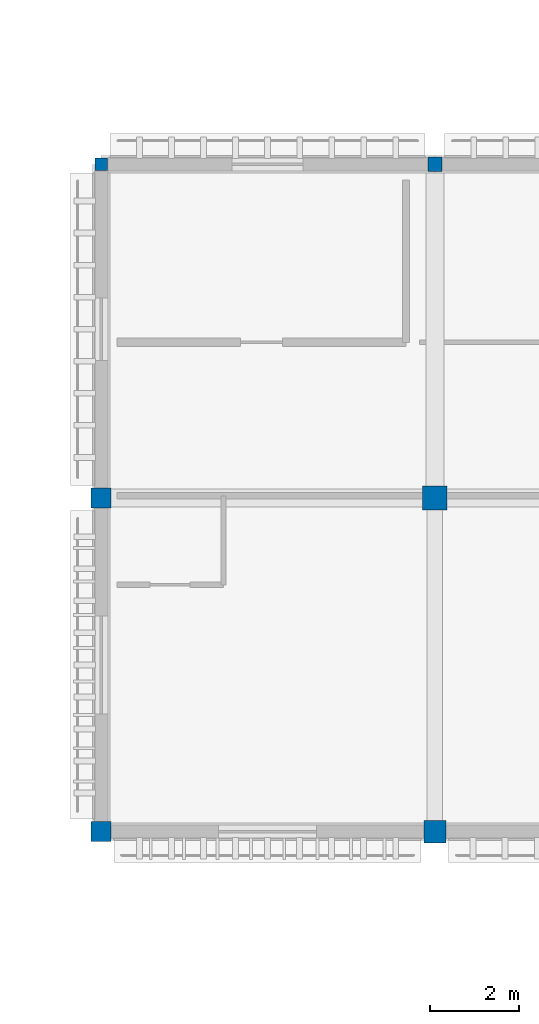
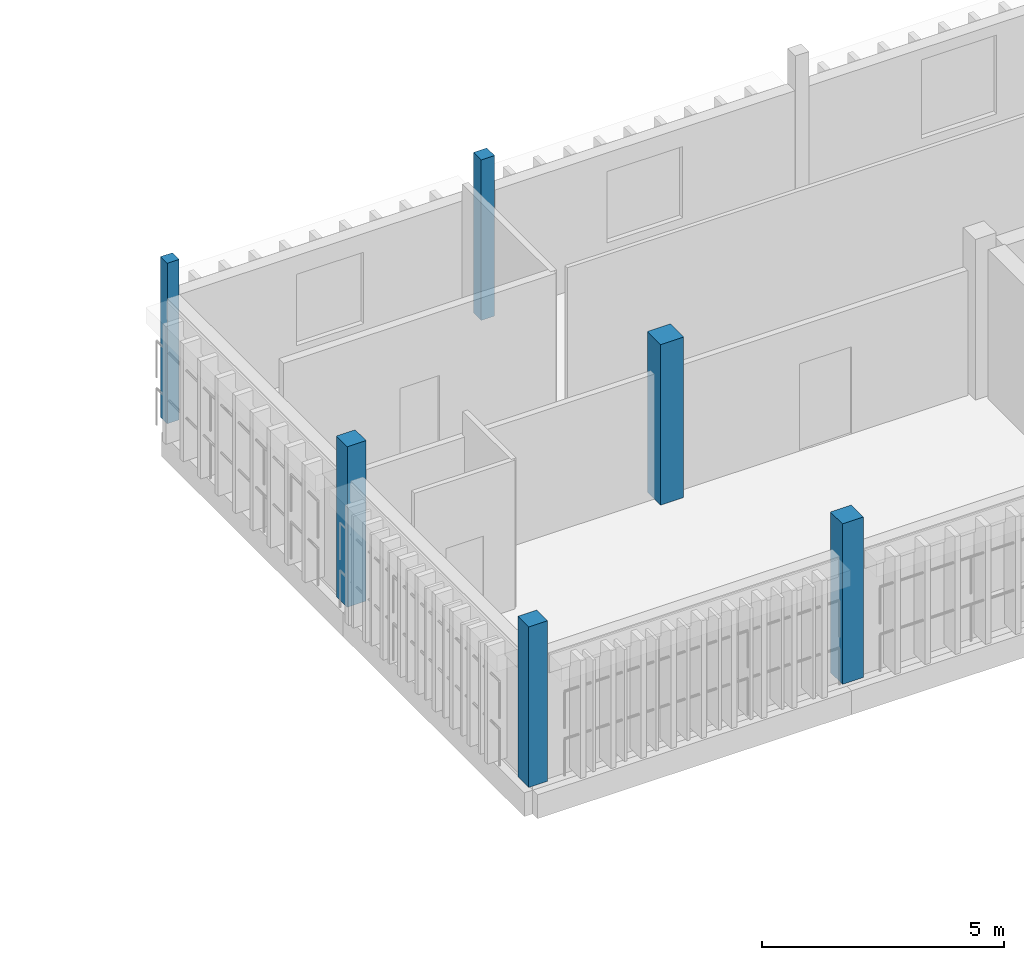
# One storey, part 3 of 48: 6 columns.
"""IFC4 building model written with IfcOpenShell, lengths in metres."""

from ifc_helpers import new_model, si_unit, direction, frame, origin, origin_2d, place, context, subcontext, project, spatial, rectangle, extrude, material, material_profile, profile_set, type_object, element, save


model = new_model("IFC4")

# Units and contexts
model_context = context("Model", 3, precision=1e-05, world=origin(), true_north=direction((0.0, 1.0)))
body_context = subcontext(model_context, "Body", "Model", "MODEL_VIEW")
ifc_project = project(units=[si_unit("LENGTHUNIT", "METRE"), si_unit("AREAUNIT", "SQUARE_METRE"), si_unit("VOLUMEUNIT", "CUBIC_METRE"), si_unit("PLANEANGLEUNIT", "RADIAN"), si_unit("MASSUNIT", "GRAM", prefix="KILO")], contexts=[model_context])

# Site, building, storey
site_placement = place(None, origin())
site = spatial("IfcSite", under=ifc_project, at=site_placement, CompositionType="ELEMENT")
building_placement = place(site_placement, origin())
building = spatial("IfcBuilding", under=site, at=building_placement, Name="Dalvernix Boulevard General Hospital", CompositionType="ELEMENT")
storey_placement = place(building_placement, frame((0.0, 0.0, 17.85009765625)))
storey = spatial("IfcBuildingStorey", under=building, at=storey_placement, Name="L04", CompositionType="ELEMENT", Elevation=17.85009765625)

# Columns
ifc_material_1 = material(Name="Concrete C40/50", Category="concrete")
ifc_material_profile_1 = material_profile(ifc_material_1, rectangle(XDim=0.550048828125, YDim=0.550048828125, at=origin_2d()), Name="RC 550x550")
ifc_profile_set_1 = profile_set([ifc_material_profile_1], Name="Concrete C40/50")
column_type_1 = type_object("IfcColumnType", Name="COL-C-08-I", PredefinedType="COLUMN", material=ifc_profile_set_1)
column_1_placement = place(storey_placement, frame((120.0, 15.0, 0.0), z_axis=(0.0, 0.0, 1.0), x_axis=(1.0, 0.0, 0.0)))
element("IfcColumn", 1, at=column_1_placement, inside=storey, type_object=column_type_1, Name="L04 column 17C", PredefinedType="COLUMN", context=body_context, shape_type="SweptSolid", body=[
    extrude(rectangle(XDim=0.550048828125, YDim=0.550048828125, at=origin_2d()), origin(), (0.0, 0.0, 1.0), 4.0498046875),
])
ifc_material_profile_2 = material_profile(ifc_material_1, rectangle(XDim=0.5, YDim=0.5, at=origin_2d()), Name="RC 500x500")
ifc_profile_set_2 = profile_set([ifc_material_profile_2], Name="Concrete C40/50")
column_type_2 = type_object("IfcColumnType", Name="COL-C-09-E", PredefinedType="COLUMN", material=ifc_profile_set_2)
column_2_placement = place(storey_placement, frame((120.0, 7.5, 0.0), z_axis=(0.0, 0.0, 1.0), x_axis=(1.0, 0.0, 0.0)))
element("IfcColumn", 2, at=column_2_placement, inside=storey, type_object=column_type_2, Name="L04 column 17B", PredefinedType="COLUMN", context=body_context, shape_type="SweptSolid", body=[
    extrude(rectangle(XDim=0.5, YDim=0.5, at=origin_2d()), origin(), (0.0, 0.0, 1.0), 4.0498046875),
])
ifc_material_profile_3 = material_profile(ifc_material_1, rectangle(XDim=0.449951171875, YDim=0.449951171875, at=origin_2d()), Name="RC 450x450")
ifc_profile_set_3 = profile_set([ifc_material_profile_3], Name="Concrete C40/50")
column_type_3 = type_object("IfcColumnType", Name="COL-C-10-E", PredefinedType="COLUMN", material=ifc_profile_set_3)
for number, where, z_axis, x_axis, name in (
    (3, (112.5, 7.5, 0.0), (0.0, 0.0, 1.0), (1.0, 0.0, 0.0), "L04 column 16B"),
    (4, (112.5, 15.0, 0.0), (0.0, 0.0, 1.0), (1.0, 0.0, 0.0), "L04 column 16C"),
):
    element("IfcColumn", number, at=place(storey_placement, frame(where, z_axis=z_axis, x_axis=x_axis)), inside=storey, type_object=column_type_3, Name=name, PredefinedType="COLUMN", context=body_context, shape_type="SweptSolid", body=[
        extrude(rectangle(XDim=0.449951171875, YDim=0.449951171875, at=origin_2d()), origin(), (0.0, 0.0, 1.0), 4.0498046875),
    ])
ifc_material_2 = material(Name="Glulam GL28h", Category="wood")
ifc_material_profile_4 = material_profile(ifc_material_2, rectangle(XDim=0.320068359375, YDim=0.320068359375, at=origin_2d()), Name="GL28h 320x320")
ifc_profile_set_4 = profile_set([ifc_material_profile_4], Name="Glulam GL28h")
column_type_4 = type_object("IfcColumnType", Name="COL-C-20-E", PredefinedType="COLUMN", material=ifc_profile_set_4)
column_3_placement = place(storey_placement, frame((120.0, 22.5, 0.0), z_axis=(0.0, 0.0, 1.0), x_axis=(1.0, 0.0, 0.0)))
element("IfcColumn", 5, at=column_3_placement, inside=storey, type_object=column_type_4, Name="L04 column 17D", PredefinedType="COLUMN", context=body_context, shape_type="SweptSolid", body=[
    extrude(rectangle(XDim=0.320068359375, YDim=0.320068359375, at=origin_2d()), origin(), (0.0, 0.0, 1.0), 4.0498046875),
])
ifc_material_profile_5 = material_profile(ifc_material_2, rectangle(XDim=0.280029296875, YDim=0.280029296875, at=origin_2d()), Name="GL28h 280x280")
ifc_profile_set_5 = profile_set([ifc_material_profile_5], Name="Glulam GL28h")
column_type_5 = type_object("IfcColumnType", Name="COL-C-21-E", PredefinedType="COLUMN", material=ifc_profile_set_5)
column_4_placement = place(storey_placement, frame((112.5, 22.5, 0.0), z_axis=(0.0, 0.0, 1.0), x_axis=(1.0, 0.0, 0.0)))
element("IfcColumn", 6, at=column_4_placement, inside=storey, type_object=column_type_5, Name="L04 column 16D", PredefinedType="COLUMN", context=body_context, shape_type="SweptSolid", body=[
    extrude(rectangle(XDim=0.280029296875, YDim=0.280029296875, at=origin_2d()), origin(), (0.0, 0.0, 1.0), 4.0498046875),
])

save(model, "model.ifc")
